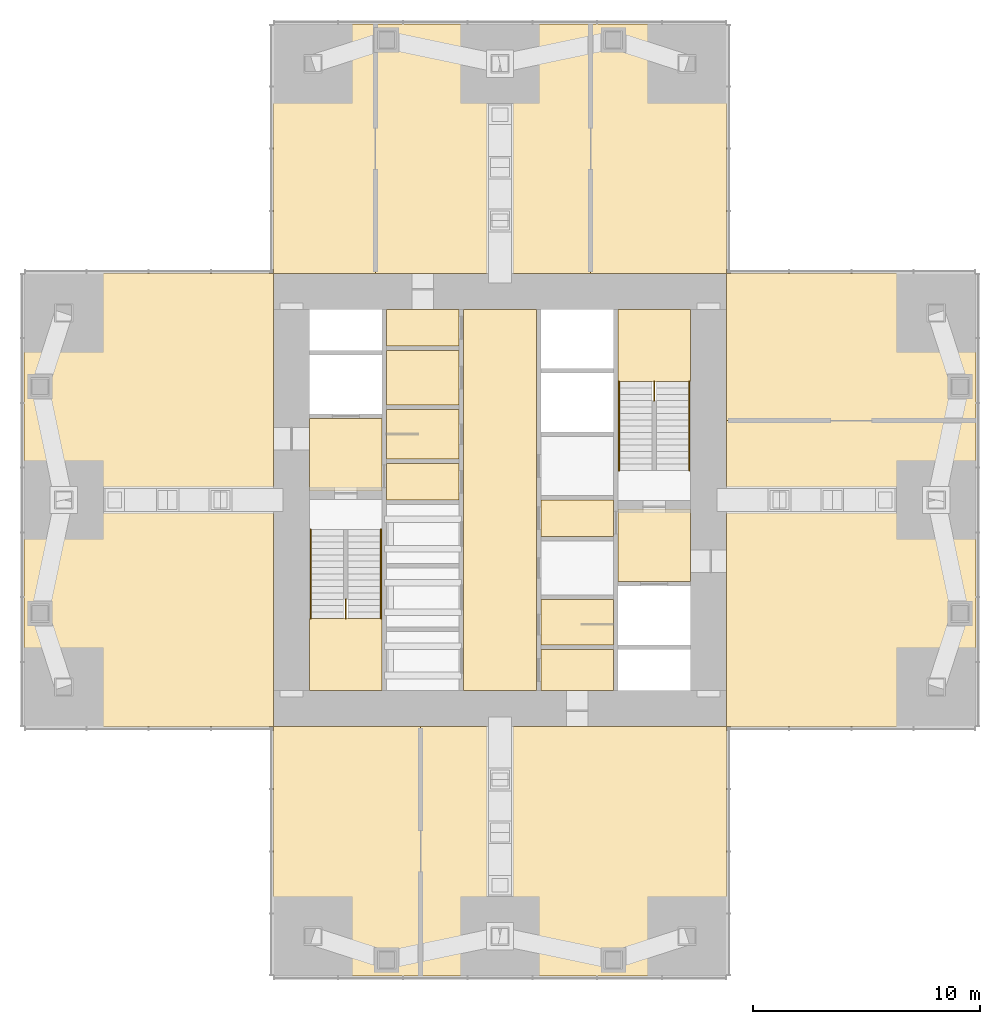
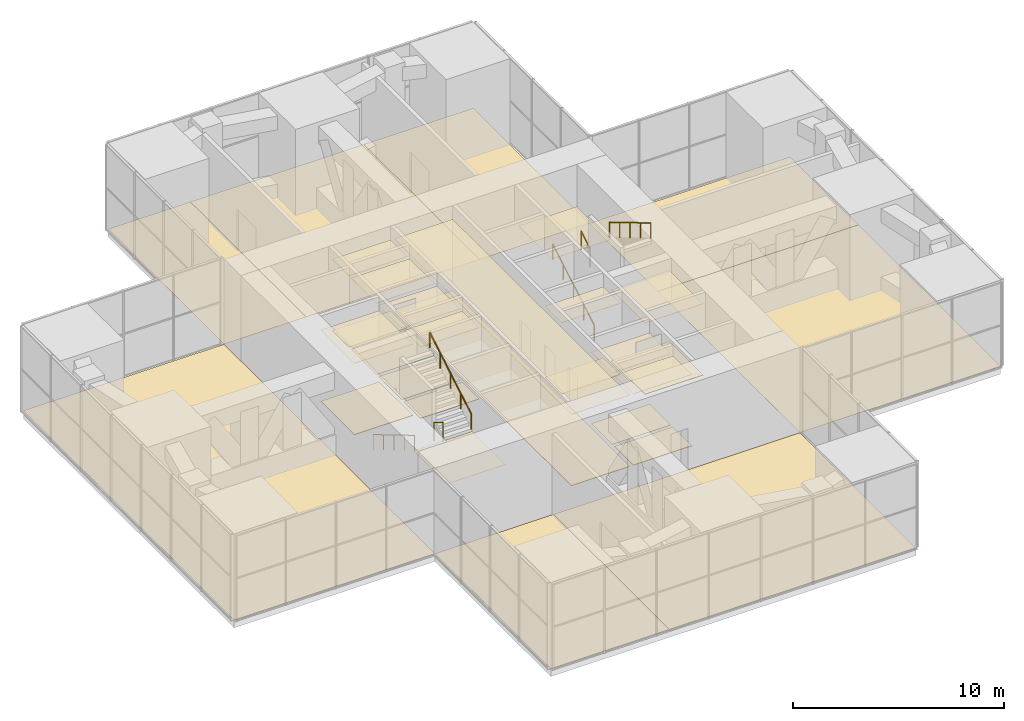
# One storey, part 12 of 12: 30 coverings, 6 railings.
"""IFC4 building model written with IfcOpenShell, lengths in metres."""

import ifcopenshell
import ifcopenshell.guid

model = None  # the IFC model being written
_history = None  # IfcOwnerHistory: only IFC2X3 demands one
_inside = {}  # id of a spatial element -> (the spatial element, [elements in it])
_under = {}  # id of a project, library or spatial element -> (it, [spatial elements below it])
_declared = {}  # id of a project -> (the project, [libraries it declares])
_typed = {}  # id of a type object -> (the type object, [elements of that type])
_made_of = {}  # id of a material, layer set ... -> (it, [elements and type objects made of it])


def new_model(schema):
    """Start an empty IFC model of exactly this schema.

    Asked for "IFC4X3", IfcOpenShell would pick the latest addendum, in which some entities
    have other attributes; the version numbers below select the first issue.
    IFC2X3 requires an IfcOwnerHistory on every rooted entity: one is made here for all.
    """
    global model, _history
    if schema == "IFC4X3":
        model = ifcopenshell.file(schema_version=(4, 3, 0, 0))
    else:
        model = ifcopenshell.file(schema=schema)
    _inside.clear()
    _under.clear()
    _declared.clear()
    _typed.clear()
    _made_of.clear()
    _history = None
    if model.schema == "IFC2X3":
        org = make("IfcOrganization", Name="unknown")
        user = make(
            "IfcPersonAndOrganization",
            ThePerson=make("IfcPerson", FamilyName="unknown"),
            TheOrganization=org,
        )
        app = make(
            "IfcApplication",
            ApplicationDeveloper=org,
            Version="unknown",
            ApplicationFullName="unknown",
            ApplicationIdentifier="unknown",
        )
        _history = make(
            "IfcOwnerHistory",
            OwningUser=user,
            OwningApplication=app,
            ChangeAction="ADDED",
            CreationDate=0,
        )
    return model


def make(cls, **values):
    """One entity of the class cls with the attributes given. An attribute that is None is left unset."""
    return model.create_entity(
        cls, **{name: value for name, value in values.items() if value is not None}
    )


def rooted(cls, **values):
    """An entity with a GlobalId (a new one), such as an element, a storey or a relation."""
    return make(cls, GlobalId=ifcopenshell.guid.new(), OwnerHistory=_history, **values)


def si_unit(unit_type, name, prefix=None):
    """IfcSIUnit, for example si_unit("LENGTHUNIT", "METRE", prefix="MILLI")."""
    return make("IfcSIUnit", UnitType=unit_type, Prefix=prefix, Name=name)


def assignment(units):
    """IfcUnitAssignment: the units of a project."""
    return None if units is None else make("IfcUnitAssignment", Units=units)


def point(xyz):
    """IfcCartesianPoint."""
    return None if xyz is None else make("IfcCartesianPoint", Coordinates=xyz)


def direction(xyz):
    """IfcDirection."""
    return None if xyz is None else make("IfcDirection", DirectionRatios=xyz)


def frame(location, z_axis=None, x_axis=None):
    """IfcAxis2Placement3D, a coordinate frame: its origin and axes. An axis left out is left unset."""
    return make(
        "IfcAxis2Placement3D",
        Location=point(location),
        Axis=direction(z_axis),
        RefDirection=direction(x_axis),
    )


def frame_2d(location, x_axis=None):
    """IfcAxis2Placement2D, a coordinate frame in the plane: its origin and x axis."""
    return make(
        "IfcAxis2Placement2D", Location=point(location), RefDirection=direction(x_axis)
    )


def origin():
    """The frame at (0, 0, 0) with its axes left unset."""
    return frame((0.0, 0.0, 0.0))


def origin_2d():
    """The frame at (0, 0) in the plane with its x axis left unset."""
    return frame_2d((0.0, 0.0))


def place(relative_to, where):
    """IfcLocalPlacement: puts the frame where relative to a parent placement (None: the world)."""
    return make(
        "IfcLocalPlacement", PlacementRelTo=relative_to, RelativePlacement=where
    )


def context(
    kind, dimensions, precision=None, world=None, true_north=None, identifier=None
):
    """IfcGeometricRepresentationContext, for example the 3D "Model" context."""
    return make(
        "IfcGeometricRepresentationContext",
        ContextIdentifier=identifier,
        ContextType=kind,
        CoordinateSpaceDimension=dimensions,
        Precision=precision,
        WorldCoordinateSystem=world,
        TrueNorth=true_north,
    )


def subcontext(parent, identifier, kind, view, scale=None):
    """IfcGeometricRepresentationSubContext, for example "Body" below "Model"."""
    return make(
        "IfcGeometricRepresentationSubContext",
        ContextIdentifier=identifier,
        ContextType=kind,
        ParentContext=parent,
        TargetScale=scale,
        TargetView=view,
    )


def project(units=None, contexts=None):
    """IfcProject with its units and contexts."""
    return rooted(
        "IfcProject",
        Name="project",
        RepresentationContexts=contexts,
        UnitsInContext=assignment(units),
    )


def spatial(cls, under=None, at=None, **own):
    """A site, building, storey or space (cls), placed at a placement, below another one or the project."""
    s = rooted(cls, ObjectPlacement=at, **own)
    if under is not None:
        _under.setdefault(under.id(), (under, []))[1].append(s)
    return s


def polyline(points):
    """IfcPolyline through the points."""
    return make("IfcPolyline", Points=[point(p) for p in points])


def profile(cls, at=None, kind="AREA", **sizes):
    """A parametric profile (cls). Its sizes go by their IFC names, for example OverallWidth=200.0."""
    return make(cls, ProfileType=kind, Position=at, **sizes)


def circle(**sizes):
    """IfcCircleProfileDef."""
    return profile("IfcCircleProfileDef", **sizes)


def outline(outer, holes=None, kind="AREA"):
    """IfcArbitraryClosedProfileDef: a profile drawn as a closed curve; with holes, ...WithVoids."""
    if holes is None:
        return make("IfcArbitraryClosedProfileDef", ProfileType=kind, OuterCurve=outer)
    return make(
        "IfcArbitraryProfileDefWithVoids",
        ProfileType=kind,
        OuterCurve=outer,
        InnerCurves=holes,
    )


def extrude(swept, where, along, depth):
    """IfcExtrudedAreaSolid: the profile swept, set in the frame where, extruded along a direction by depth."""
    return make(
        "IfcExtrudedAreaSolid",
        SweptArea=swept,
        Position=where,
        ExtrudedDirection=direction(along),
        Depth=depth,
    )


def shape(context_of_items, identifier, shape_type, items):
    """IfcShapeRepresentation: the items that make up one representation, for example the "Body"."""
    return make(
        "IfcShapeRepresentation",
        ContextOfItems=context_of_items,
        RepresentationIdentifier=identifier,
        RepresentationType=shape_type,
        Items=items,
    )


def material(Name=None, Category=None):
    """IfcMaterial."""
    return make("IfcMaterial", Name=Name, Category=Category)


def layer(
    of_material, thickness, ventilated=None, Name=None, Category=None, Priority=None
):
    """IfcMaterialLayer: one layer of a wall or slab, of a material (None: an air gap)."""
    return make(
        "IfcMaterialLayer",
        Material=of_material,
        LayerThickness=thickness,
        IsVentilated=ventilated,
        Name=Name,
        Category=Category,
        Priority=Priority,
    )


def layer_set(layers, Name=None):
    """IfcMaterialLayerSet."""
    return make("IfcMaterialLayerSet", MaterialLayers=layers, LayerSetName=Name)


def made_of(thing, what):
    """Note that an element or type object is made of a material, layer set ...; save() writes the relation."""
    if what is not None:
        _made_of.setdefault(what.id(), (what, []))[1].append(thing)
    return thing


def type_object(cls, material=None, **own):
    """A type object (cls), such as IfcWallType, which elements share."""
    return made_of(rooted(cls, **own), material)


def element(
    cls,
    number,
    at=None,
    inside=None,
    cuts=None,
    type_object=None,
    material=None,
    context=None,
    identifier="Body",
    shape_type=None,
    held_by="IfcProductDefinitionShape",
    body=None,
    shapes=None,
    **own,
):
    """One element of the class cls, such as IfcWall. Its Tag is "e" and its number.

    at: its placement. inside: the storey or other place that contains it. cuts: it is an
    opening in that element (IfcRelVoidsElement). A single representation is given by context,
    identifier, shape_type and body (its items); several are given by shapes. held_by: the class
    of the entity that holds the representations. save() writes the other relations.
    """
    e = rooted(cls, Tag="e%d" % number, ObjectPlacement=at, **own)
    if body is not None:
        shapes = [shape(context, identifier, shape_type, body)]
    if shapes is not None:
        e.Representation = make(held_by, Representations=shapes)
    if inside is not None:
        _inside.setdefault(inside.id(), (inside, []))[1].append(e)
    if cuts is not None:
        rooted(
            "IfcRelVoidsElement", RelatingBuildingElement=cuts, RelatedOpeningElement=e
        )
    if type_object is not None:
        _typed.setdefault(type_object.id(), (type_object, []))[1].append(e)
    return made_of(e, material)


def aggregate(whole, parts):
    """IfcRelAggregates: a whole, such as a stair, and the parts it consists of."""
    return rooted("IfcRelAggregates", RelatingObject=whole, RelatedObjects=parts)


def save(model, path):
    """Write the relations noted so far, then the file.

    IfcRelAggregates (storeys below a building ...), IfcRelContainedInSpatialStructure (elements
    in a storey), IfcRelDefinesByType, IfcRelAssociatesMaterial and IfcRelDeclares: one each for
    every whole, place, type object, material and project.
    """
    for whole, parts in _under.values():
        aggregate(whole, parts)
    for where, things in _inside.values():
        rooted(
            "IfcRelContainedInSpatialStructure",
            RelatedElements=things,
            RelatingStructure=where,
        )
    for kind, things in _typed.values():
        rooted("IfcRelDefinesByType", RelatedObjects=things, RelatingType=kind)
    for what, things in _made_of.values():
        rooted("IfcRelAssociatesMaterial", RelatedObjects=things, RelatingMaterial=what)
    for by, libraries in _declared.values():
        rooted("IfcRelDeclares", RelatingContext=by, RelatedDefinitions=libraries)
    model.write(path)


model = new_model("IFC4")

# Units and contexts
model_context = context("Model", 3, precision=1e-05, world=origin(), true_north=direction((0.0, 1.0)))
body_context = subcontext(model_context, "Body", "Model", "MODEL_VIEW")
ifc_project = project(units=[si_unit("LENGTHUNIT", "METRE"), si_unit("AREAUNIT", "SQUARE_METRE"), si_unit("VOLUMEUNIT", "CUBIC_METRE"), si_unit("PLANEANGLEUNIT", "RADIAN"), si_unit("MASSUNIT", "GRAM", prefix="KILO")], contexts=[model_context])

# Site, building, storey
site_placement = place(None, origin())
site = spatial("IfcSite", under=ifc_project, at=site_placement, CompositionType="ELEMENT")
building_placement = place(site_placement, origin())
building = spatial("IfcBuilding", under=site, at=building_placement, Name="Svetlomir Tower", CompositionType="ELEMENT")
storey_placement = place(building_placement, frame((0.0, 0.0, 160.5)))
storey = spatial("IfcBuildingStorey", under=building, at=storey_placement, Name="L38", CompositionType="ELEMENT", Elevation=160.5)

# Coverings
ifc_material_1 = material(Name="Ceramic floor tile", Category="ceramic")
ifc_layer_1 = layer(ifc_material_1, 0.014892578125)
ifc_layer_set_1 = layer_set([ifc_layer_1], Name="Ceramic floor tile")
covering_type_1 = type_object("IfcCoveringType", Name="CERAMIC TILE FLOOR 15", PredefinedType="FLOORING", material=ifc_layer_set_1)
covering_1_placement = place(storey_placement, origin())
element("IfcCovering", 1, at=covering_1_placement, inside=storey, type_object=covering_type_1, Name="Floor finish L38-04", PredefinedType="FLOORING", context=body_context, shape_type="SweptSolid", body=[
    extrude(outline(polyline([(16.0, 22.800048828125), (19.199951171875, 22.800048828125), (19.199951171875, 25.0), (16.0, 25.0), (16.0, 22.800048828125)])), origin(), (0.0, 0.0, 1.0), 0.014892578125),
])
covering_2_placement = place(storey_placement, origin())
element("IfcCovering", 2, at=covering_2_placement, inside=storey, type_object=covering_type_1, Name="Floor finish L38-05", PredefinedType="FLOORING", context=body_context, shape_type="SweptSolid", body=[
    extrude(outline(polyline([(16.0, 25.199951171875), (19.199951171875, 25.199951171875), (19.199951171875, 27.60009765625), (16.0, 27.60009765625), (16.0, 25.199951171875)])), origin(), (0.0, 0.0, 1.0), 0.014892578125),
])
covering_3_placement = place(storey_placement, origin())
element("IfcCovering", 3, at=covering_3_placement, inside=storey, type_object=covering_type_1, Name="Floor finish L38-09", PredefinedType="FLOORING", context=body_context, shape_type="SweptSolid", body=[
    extrude(outline(polyline([(22.800048828125, 14.60009765625), (26.0, 14.60009765625), (26.0, 16.60009765625), (22.800048828125, 16.60009765625), (22.800048828125, 14.60009765625)])), origin(), (0.0, 0.0, 1.0), 0.014892578125),
])
ifc_material_2 = material(Name="Epoxy resin floor coating", Category="resin")
ifc_layer_2 = layer(ifc_material_2, 0.0048828125)
ifc_layer_set_2 = layer_set([ifc_layer_2], Name="Epoxy resin floor coating")
covering_type_2 = type_object("IfcCoveringType", Name="EPOXY FLOOR 5", PredefinedType="FLOORING", material=ifc_layer_set_2)
covering_4_placement = place(storey_placement, origin())
element("IfcCovering", 4, at=covering_4_placement, inside=storey, type_object=covering_type_2, Name="Floor finish L38-15", PredefinedType="FLOORING", context=body_context, shape_type="SweptSolid", body=[
    extrude(outline(polyline([(11.0, 11.0), (17.5, 11.0), (17.5, 0.0), (11.0, 0.0), (11.0, 11.0)])), origin(), (0.0, 0.0, 1.0), 0.0048828125),
])
covering_5_placement = place(storey_placement, origin())
element("IfcCovering", 5, at=covering_5_placement, inside=storey, type_object=covering_type_2, Name="Floor finish L38-16", PredefinedType="FLOORING", context=body_context, shape_type="SweptSolid", body=[
    extrude(outline(polyline([(31.0, 11.0), (31.0, 0.0), (17.5, 0.0), (17.5, 11.0), (31.0, 11.0)])), origin(), (0.0, 0.0, 1.0), 0.0048828125),
])
covering_6_placement = place(storey_placement, origin())
element("IfcCovering", 6, at=covering_6_placement, inside=storey, type_object=covering_type_2, Name="Floor finish L38-17", PredefinedType="FLOORING", context=body_context, shape_type="SweptSolid", body=[
    extrude(outline(polyline([(11.0, 31.0), (11.0, 42.0), (15.5, 42.0), (15.5, 31.0), (11.0, 31.0)])), origin(), (0.0, 0.0, 1.0), 0.0048828125),
])
covering_7_placement = place(storey_placement, origin())
element("IfcCovering", 7, at=covering_7_placement, inside=storey, type_object=covering_type_2, Name="Floor finish L38-18", PredefinedType="FLOORING", context=body_context, shape_type="SweptSolid", body=[
    extrude(outline(polyline([(15.5, 31.0), (15.5, 42.0), (25.0, 42.0), (25.0, 31.0), (15.5, 31.0)])), origin(), (0.0, 0.0, 1.0), 0.0048828125),
])
covering_8_placement = place(storey_placement, origin())
element("IfcCovering", 8, at=covering_8_placement, inside=storey, type_object=covering_type_2, Name="Floor finish L38-19", PredefinedType="FLOORING", context=body_context, shape_type="SweptSolid", body=[
    extrude(outline(polyline([(31.0, 31.0), (25.0, 31.0), (25.0, 42.0), (31.0, 42.0), (31.0, 31.0)])), origin(), (0.0, 0.0, 1.0), 0.0048828125),
])
covering_9_placement = place(storey_placement, origin())
element("IfcCovering", 9, at=covering_9_placement, inside=storey, type_object=covering_type_2, Name="Floor finish L38-20", PredefinedType="FLOORING", context=body_context, shape_type="SweptSolid", body=[
    extrude(outline(polyline([(11.0, 11.0), (0.0, 11.0), (0.0, 31.0), (11.0, 31.0), (11.0, 11.0)])), origin(), (0.0, 0.0, 1.0), 0.0048828125),
])
covering_10_placement = place(storey_placement, origin())
element("IfcCovering", 10, at=covering_10_placement, inside=storey, type_object=covering_type_2, Name="Floor finish L38-21", PredefinedType="FLOORING", context=body_context, shape_type="SweptSolid", body=[
    extrude(outline(polyline([(42.0, 11.0), (31.0, 11.0), (31.0, 24.5), (42.0, 24.5), (42.0, 11.0)])), origin(), (0.0, 0.0, 1.0), 0.0048828125),
])
covering_11_placement = place(storey_placement, origin())
element("IfcCovering", 11, at=covering_11_placement, inside=storey, type_object=covering_type_2, Name="Floor finish L38-22", PredefinedType="FLOORING", context=body_context, shape_type="SweptSolid", body=[
    extrude(outline(polyline([(42.0, 31.0), (42.0, 24.5), (31.0, 24.5), (31.0, 31.0), (42.0, 31.0)])), origin(), (0.0, 0.0, 1.0), 0.0048828125),
])

# Railings
ifc_material_3 = material(Name="Stainless steel", Category="steel")
railing_type_1 = type_object("IfcRailingType", Name="HANDRAIL HR1 900", PredefinedType="HANDRAIL", material=ifc_material_3)
railing_1_placement = place(storey_placement, frame((12.64990234375, 19.699951171875, 0.166748046875)))
element("IfcRailing", 12, at=railing_1_placement, inside=storey, type_object=railing_type_1, Name="Handrail S1 flight 1 L38", PredefinedType="HANDRAIL", context=body_context, shape_type="SweptSolid", body=[
    extrude(circle(Radius=0.02392578125, at=origin_2d()), frame((0.0, 0.0, 0.8759765625), z_axis=(0.0, -0.859296244711, 0.511478214419), x_axis=(1.0, 0.0, 0.0)), (0.0, 0.0, 1.0), 4.561767578125),
    extrude(circle(Radius=0.02099609375, at=origin_2d()), origin(), (0.0, 0.0, 1.0), 0.851806640625),
    extrude(circle(Radius=0.02099609375, at=origin_2d()), frame((0.0, -0.97998046875, 0.583251953125)), (0.0, 0.0, 1.0), 0.851806640625),
    extrude(circle(Radius=0.02099609375, at=origin_2d()), frame((0.0, -1.9599609375, 1.16650390625)), (0.0, 0.0, 1.0), 0.851806640625),
    extrude(circle(Radius=0.02099609375, at=origin_2d()), frame((0.0, -2.93994140625, 1.75)), (0.0, 0.0, 1.0), 0.851806640625),
    extrude(circle(Radius=0.02099609375, at=origin_2d()), frame((0.0, -3.919921875, 2.333251953125)), (0.0, 0.0, 1.0), 0.851806640625),
])
for number, where, name in (
    (13, (15.75, 15.780029296875, 2.666748046875), "Handrail S1 flight 2 L38"),
    (14, (26.25, 22.300048828125, 0.166748046875), "Handrail S2 flight 1 L38"),
):
    element("IfcRailing", number, at=place(storey_placement, frame(where)), inside=storey, type_object=railing_type_1, Name=name, PredefinedType="HANDRAIL", context=body_context, shape_type="SweptSolid", body=[
        extrude(circle(Radius=0.02392578125, at=origin_2d()), frame((0.0, 0.0, 0.8759765625), z_axis=(0.0, 0.859296244711, 0.511478214419), x_axis=(-1.0, 0.0, 0.0)), (0.0, 0.0, 1.0), 4.561767578125),
        extrude(circle(Radius=0.02099609375, at=origin_2d()), origin(), (0.0, 0.0, 1.0), 0.851806640625),
        extrude(circle(Radius=0.02099609375, at=origin_2d()), frame((0.0, 0.97998046875, 0.583251953125)), (0.0, 0.0, 1.0), 0.851806640625),
        extrude(circle(Radius=0.02099609375, at=origin_2d()), frame((0.0, 1.9599609375, 1.16650390625)), (0.0, 0.0, 1.0), 0.851806640625),
        extrude(circle(Radius=0.02099609375, at=origin_2d()), frame((0.0, 2.93994140625, 1.75)), (0.0, 0.0, 1.0), 0.851806640625),
        extrude(circle(Radius=0.02099609375, at=origin_2d()), frame((0.0, 3.919921875, 2.333251953125)), (0.0, 0.0, 1.0), 0.851806640625),
    ])
railing_2_placement = place(storey_placement, frame((29.35009765625, 26.219970703125, 2.666748046875)))
element("IfcRailing", 15, at=railing_2_placement, inside=storey, type_object=railing_type_1, Name="Handrail S2 flight 2 L38", PredefinedType="HANDRAIL", context=body_context, shape_type="SweptSolid", body=[
    extrude(circle(Radius=0.02392578125, at=origin_2d()), frame((0.0, 0.0, 0.8759765625), z_axis=(0.0, -0.859296244711, 0.511478214419), x_axis=(1.0, 0.0, 0.0)), (0.0, 0.0, 1.0), 4.561767578125),
    extrude(circle(Radius=0.02099609375, at=origin_2d()), origin(), (0.0, 0.0, 1.0), 0.851806640625),
    extrude(circle(Radius=0.02099609375, at=origin_2d()), frame((0.0, -0.97998046875, 0.583251953125)), (0.0, 0.0, 1.0), 0.851806640625),
    extrude(circle(Radius=0.02099609375, at=origin_2d()), frame((0.0, -1.9599609375, 1.16650390625)), (0.0, 0.0, 1.0), 0.851806640625),
    extrude(circle(Radius=0.02099609375, at=origin_2d()), frame((0.0, -2.93994140625, 1.75)), (0.0, 0.0, 1.0), 0.851806640625),
    extrude(circle(Radius=0.02099609375, at=origin_2d()), frame((0.0, -3.919921875, 2.333251953125)), (0.0, 0.0, 1.0), 0.851806640625),
])

# Coverings
ifc_material_4 = material(Name="Moisture resistant plasterboard ceiling", Category="gypsum")
ifc_layer_3 = layer(ifc_material_4, 0.012451171875)
ifc_layer_set_3 = layer_set([ifc_layer_3], Name="Moisture resistant plasterboard ceiling")
covering_type_3 = type_object("IfcCoveringType", Name="MOISTURE RESISTANT CEILING 12.5", PredefinedType="CEILING", material=ifc_layer_set_3)
covering_12_placement = place(storey_placement, frame((0.0, 0.0, 4.137451171875)))
element("IfcCovering", 16, at=covering_12_placement, inside=storey, type_object=covering_type_3, Name="Ceiling L38-04", PredefinedType="CEILING", context=body_context, shape_type="SweptSolid", body=[
    extrude(outline(polyline([(16.0, 22.800048828125), (19.199951171875, 22.800048828125), (19.199951171875, 25.0), (16.0, 25.0), (16.0, 22.800048828125)])), origin(), (0.0, 0.0, 1.0), 0.012451171875),
])
covering_13_placement = place(storey_placement, frame((0.0, 0.0, 4.137451171875)))
element("IfcCovering", 17, at=covering_13_placement, inside=storey, type_object=covering_type_3, Name="Ceiling L38-05", PredefinedType="CEILING", context=body_context, shape_type="SweptSolid", body=[
    extrude(outline(polyline([(16.0, 25.199951171875), (19.199951171875, 25.199951171875), (19.199951171875, 27.60009765625), (16.0, 27.60009765625), (16.0, 25.199951171875)])), origin(), (0.0, 0.0, 1.0), 0.012451171875),
])
covering_14_placement = place(storey_placement, frame((0.0, 0.0, 4.137451171875)))
element("IfcCovering", 18, at=covering_14_placement, inside=storey, type_object=covering_type_3, Name="Ceiling L38-09", PredefinedType="CEILING", context=body_context, shape_type="SweptSolid", body=[
    extrude(outline(polyline([(22.800048828125, 14.60009765625), (26.0, 14.60009765625), (26.0, 16.60009765625), (22.800048828125, 16.60009765625), (22.800048828125, 14.60009765625)])), origin(), (0.0, 0.0, 1.0), 0.012451171875),
])
ifc_material_5 = material(Name="Gypsum plasterboard ceiling", Category="gypsum")
ifc_layer_4 = layer(ifc_material_5, 0.014892578125)
ifc_layer_set_4 = layer_set([ifc_layer_4], Name="Gypsum plasterboard ceiling")
covering_type_4 = type_object("IfcCoveringType", Name="PLASTERBOARD CEILING 15", PredefinedType="CEILING", material=ifc_layer_set_4)
covering_15_placement = place(storey_placement, frame((0.0, 0.0, 4.135009765625)))
element("IfcCovering", 19, at=covering_15_placement, inside=storey, type_object=covering_type_4, Name="Ceiling L38-02", PredefinedType="CEILING", context=body_context, shape_type="SweptSolid", body=[
    extrude(outline(polyline([(12.60009765625, 21.39990234375), (15.800048828125, 21.39990234375), (15.800048828125, 24.60009765625), (12.60009765625, 24.60009765625), (12.60009765625, 21.39990234375)])), origin(), (0.0, 0.0, 1.0), 0.014892578125),
])
covering_16_placement = place(storey_placement, frame((0.0, 0.0, 4.135009765625)))
element("IfcCovering", 20, at=covering_16_placement, inside=storey, type_object=covering_type_4, Name="Ceiling L38-03", PredefinedType="CEILING", context=body_context, shape_type="SweptSolid", body=[
    extrude(outline(polyline([(16.0, 21.0), (19.199951171875, 21.0), (19.199951171875, 22.60009765625), (16.0, 22.60009765625), (16.0, 21.0)])), origin(), (0.0, 0.0, 1.0), 0.014892578125),
])
covering_17_placement = place(storey_placement, frame((0.0, 0.0, 4.135009765625)))
element("IfcCovering", 21, at=covering_17_placement, inside=storey, type_object=covering_type_4, Name="Ceiling L38-06", PredefinedType="CEILING", context=body_context, shape_type="SweptSolid", body=[
    extrude(outline(polyline([(16.0, 27.800048828125), (19.199951171875, 27.800048828125), (19.199951171875, 29.39990234375), (16.0, 29.39990234375), (16.0, 27.800048828125)])), origin(), (0.0, 0.0, 1.0), 0.014892578125),
])
covering_18_placement = place(storey_placement, frame((0.0, 0.0, 4.135009765625)))
element("IfcCovering", 22, at=covering_18_placement, inside=storey, type_object=covering_type_4, Name="Ceiling L38-07", PredefinedType="CEILING", context=body_context, shape_type="SweptSolid", body=[
    extrude(outline(polyline([(19.39990234375, 12.60009765625), (22.60009765625, 12.60009765625), (22.60009765625, 29.39990234375), (19.39990234375, 29.39990234375), (19.39990234375, 12.60009765625)])), origin(), (0.0, 0.0, 1.0), 0.014892578125),
])
covering_19_placement = place(storey_placement, frame((0.0, 0.0, 4.135009765625)))
element("IfcCovering", 23, at=covering_19_placement, inside=storey, type_object=covering_type_4, Name="Ceiling L38-08", PredefinedType="CEILING", context=body_context, shape_type="SweptSolid", body=[
    extrude(outline(polyline([(22.800048828125, 12.60009765625), (26.0, 12.60009765625), (26.0, 14.39990234375), (22.800048828125, 14.39990234375), (22.800048828125, 12.60009765625)])), origin(), (0.0, 0.0, 1.0), 0.014892578125),
])
covering_20_placement = place(storey_placement, frame((0.0, 0.0, 4.135009765625)))
element("IfcCovering", 24, at=covering_20_placement, inside=storey, type_object=covering_type_4, Name="Ceiling L38-11", PredefinedType="CEILING", context=body_context, shape_type="SweptSolid", body=[
    extrude(outline(polyline([(22.800048828125, 19.39990234375), (26.0, 19.39990234375), (26.0, 21.0), (22.800048828125, 21.0), (22.800048828125, 19.39990234375)])), origin(), (0.0, 0.0, 1.0), 0.014892578125),
])
covering_21_placement = place(storey_placement, frame((0.0, 0.0, 4.135009765625)))
element("IfcCovering", 25, at=covering_21_placement, inside=storey, type_object=covering_type_4, Name="Ceiling L38-12", PredefinedType="CEILING", context=body_context, shape_type="SweptSolid", body=[
    extrude(outline(polyline([(26.199951171875, 17.39990234375), (29.39990234375, 17.39990234375), (29.39990234375, 20.60009765625), (26.199951171875, 20.60009765625), (26.199951171875, 17.39990234375)])), origin(), (0.0, 0.0, 1.0), 0.014892578125),
])
ifc_material_6 = material(Name="Studded rubber floor finish", Category="rubber")
ifc_layer_5 = layer(ifc_material_6, 0.006103515625)
ifc_layer_set_5 = layer_set([ifc_layer_5], Name="Studded rubber floor finish")
covering_type_5 = type_object("IfcCoveringType", Name="RUBBER LANDING FINISH 6", PredefinedType="FLOORING", material=ifc_layer_set_5)
covering_22_placement = place(storey_placement, frame((0.0, 0.0, 2.5)))
element("IfcCovering", 26, at=covering_22_placement, inside=storey, type_object=covering_type_5, Name="Stair S1 landing finish L38", PredefinedType="FLOORING", context=body_context, shape_type="SweptSolid", body=[
    extrude(outline(polyline([(12.60009765625, 12.60009765625), (15.800048828125, 12.60009765625), (15.800048828125, 15.780029296875), (12.60009765625, 15.780029296875), (12.60009765625, 12.60009765625)])), origin(), (0.0, 0.0, 1.0), 0.006103515625),
])
covering_23_placement = place(storey_placement, frame((0.0, 0.0, 2.5)))
element("IfcCovering", 27, at=covering_23_placement, inside=storey, type_object=covering_type_5, Name="Stair S2 landing finish L38", PredefinedType="FLOORING", context=body_context, shape_type="SweptSolid", body=[
    extrude(outline(polyline([(26.199951171875, 26.219970703125), (29.39990234375, 26.219970703125), (29.39990234375, 29.39990234375), (26.199951171875, 29.39990234375), (26.199951171875, 26.219970703125)])), origin(), (0.0, 0.0, 1.0), 0.006103515625),
])

# Railings
ifc_material_7 = material(Name="Painted steel balustrade", Category="steel")
railing_type_2 = type_object("IfcRailingType", Name="STAIR WELL GUARD GR3 1100", PredefinedType="GUARDRAIL", material=ifc_material_7)
railing_3_placement = place(storey_placement, frame((14.199951171875, 15.780029296875, 2.5)))
element("IfcRailing", 28, at=railing_3_placement, inside=storey, type_object=railing_type_2, Name="Stair S1 well guard L38", PredefinedType="GUARDRAIL", context=body_context, shape_type="SweptSolid", body=[
    extrude(circle(Radius=0.02392578125, at=origin_2d()), frame((0.0, 0.0, 1.076171875), z_axis=(0.0, 0.859316403365, -0.511444345856), x_axis=(-1.0, 0.0, 0.0)), (0.0, 0.0, 1.0), 0.9775390625),
    extrude(circle(Radius=0.02099609375, at=origin_2d()), origin(), (0.0, 0.0, 1.0), 1.052001953125),
    extrude(circle(Radius=0.02099609375, at=origin_2d()), frame((0.0, 0.840087890625, -0.5)), (0.0, 0.0, 1.0), 1.052001953125),
])
railing_4_placement = place(storey_placement, frame((27.800048828125, 25.3798828125, 2.0)))
element("IfcRailing", 29, at=railing_4_placement, inside=storey, type_object=railing_type_2, Name="Stair S2 well guard L38", PredefinedType="GUARDRAIL", context=body_context, shape_type="SweptSolid", body=[
    extrude(circle(Radius=0.02392578125, at=origin_2d()), frame((0.0, 0.0, 1.076171875), z_axis=(0.0, 0.859316403365, 0.511444345856), x_axis=(-1.0, 0.0, 0.0)), (0.0, 0.0, 1.0), 0.9775390625),
    extrude(circle(Radius=0.02099609375, at=origin_2d()), origin(), (0.0, 0.0, 1.0), 1.052001953125),
    extrude(circle(Radius=0.02099609375, at=origin_2d()), frame((0.0, 0.840087890625, 0.5)), (0.0, 0.0, 1.0), 1.052001953125),
])

# Coverings
ifc_material_8 = material(Name="Bronze-aggregate terrazzo", Category="stone")
ifc_layer_6 = layer(ifc_material_8, 0.030029296875)
ifc_layer_set_6 = layer_set([ifc_layer_6], Name="Bronze-aggregate terrazzo")
covering_type_6 = type_object("IfcCoveringType", Name="TERRAZZO FLOOR 30", PredefinedType="FLOORING", material=ifc_layer_set_6)
covering_24_placement = place(storey_placement, origin())
element("IfcCovering", 30, at=covering_24_placement, inside=storey, type_object=covering_type_6, Name="Floor finish L38-02", PredefinedType="FLOORING", context=body_context, shape_type="SweptSolid", body=[
    extrude(outline(polyline([(12.60009765625, 21.39990234375), (15.800048828125, 21.39990234375), (15.800048828125, 24.60009765625), (12.60009765625, 24.60009765625), (12.60009765625, 21.39990234375)])), origin(), (0.0, 0.0, 1.0), 0.030029296875),
])
covering_25_placement = place(storey_placement, origin())
element("IfcCovering", 31, at=covering_25_placement, inside=storey, type_object=covering_type_6, Name="Floor finish L38-03", PredefinedType="FLOORING", context=body_context, shape_type="SweptSolid", body=[
    extrude(outline(polyline([(16.0, 21.0), (19.199951171875, 21.0), (19.199951171875, 22.60009765625), (16.0, 22.60009765625), (16.0, 21.0)])), origin(), (0.0, 0.0, 1.0), 0.030029296875),
])
covering_26_placement = place(storey_placement, origin())
element("IfcCovering", 32, at=covering_26_placement, inside=storey, type_object=covering_type_6, Name="Floor finish L38-06", PredefinedType="FLOORING", context=body_context, shape_type="SweptSolid", body=[
    extrude(outline(polyline([(16.0, 27.800048828125), (19.199951171875, 27.800048828125), (19.199951171875, 29.39990234375), (16.0, 29.39990234375), (16.0, 27.800048828125)])), origin(), (0.0, 0.0, 1.0), 0.030029296875),
])
covering_27_placement = place(storey_placement, origin())
element("IfcCovering", 33, at=covering_27_placement, inside=storey, type_object=covering_type_6, Name="Floor finish L38-07", PredefinedType="FLOORING", context=body_context, shape_type="SweptSolid", body=[
    extrude(outline(polyline([(19.39990234375, 12.60009765625), (22.60009765625, 12.60009765625), (22.60009765625, 29.39990234375), (19.39990234375, 29.39990234375), (19.39990234375, 12.60009765625)])), origin(), (0.0, 0.0, 1.0), 0.030029296875),
])
covering_28_placement = place(storey_placement, origin())
element("IfcCovering", 34, at=covering_28_placement, inside=storey, type_object=covering_type_6, Name="Floor finish L38-08", PredefinedType="FLOORING", context=body_context, shape_type="SweptSolid", body=[
    extrude(outline(polyline([(22.800048828125, 12.60009765625), (26.0, 12.60009765625), (26.0, 14.39990234375), (22.800048828125, 14.39990234375), (22.800048828125, 12.60009765625)])), origin(), (0.0, 0.0, 1.0), 0.030029296875),
])
covering_29_placement = place(storey_placement, origin())
element("IfcCovering", 35, at=covering_29_placement, inside=storey, type_object=covering_type_6, Name="Floor finish L38-11", PredefinedType="FLOORING", context=body_context, shape_type="SweptSolid", body=[
    extrude(outline(polyline([(22.800048828125, 19.39990234375), (26.0, 19.39990234375), (26.0, 21.0), (22.800048828125, 21.0), (22.800048828125, 19.39990234375)])), origin(), (0.0, 0.0, 1.0), 0.030029296875),
])
covering_30_placement = place(storey_placement, origin())
element("IfcCovering", 36, at=covering_30_placement, inside=storey, type_object=covering_type_6, Name="Floor finish L38-12", PredefinedType="FLOORING", context=body_context, shape_type="SweptSolid", body=[
    extrude(outline(polyline([(26.199951171875, 17.39990234375), (29.39990234375, 17.39990234375), (29.39990234375, 20.60009765625), (26.199951171875, 20.60009765625), (26.199951171875, 17.39990234375)])), origin(), (0.0, 0.0, 1.0), 0.030029296875),
])

save(model, "model.ifc")
